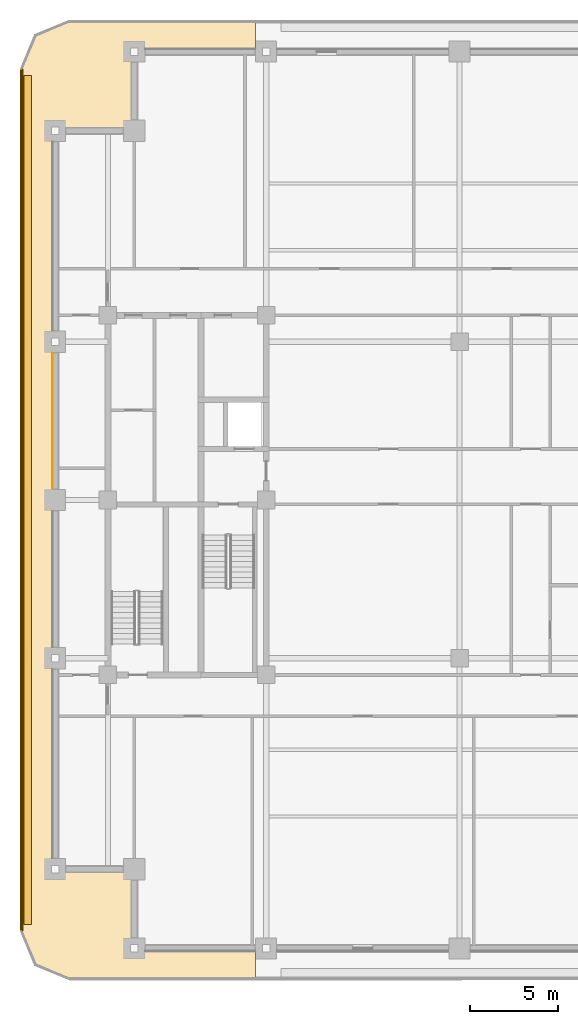
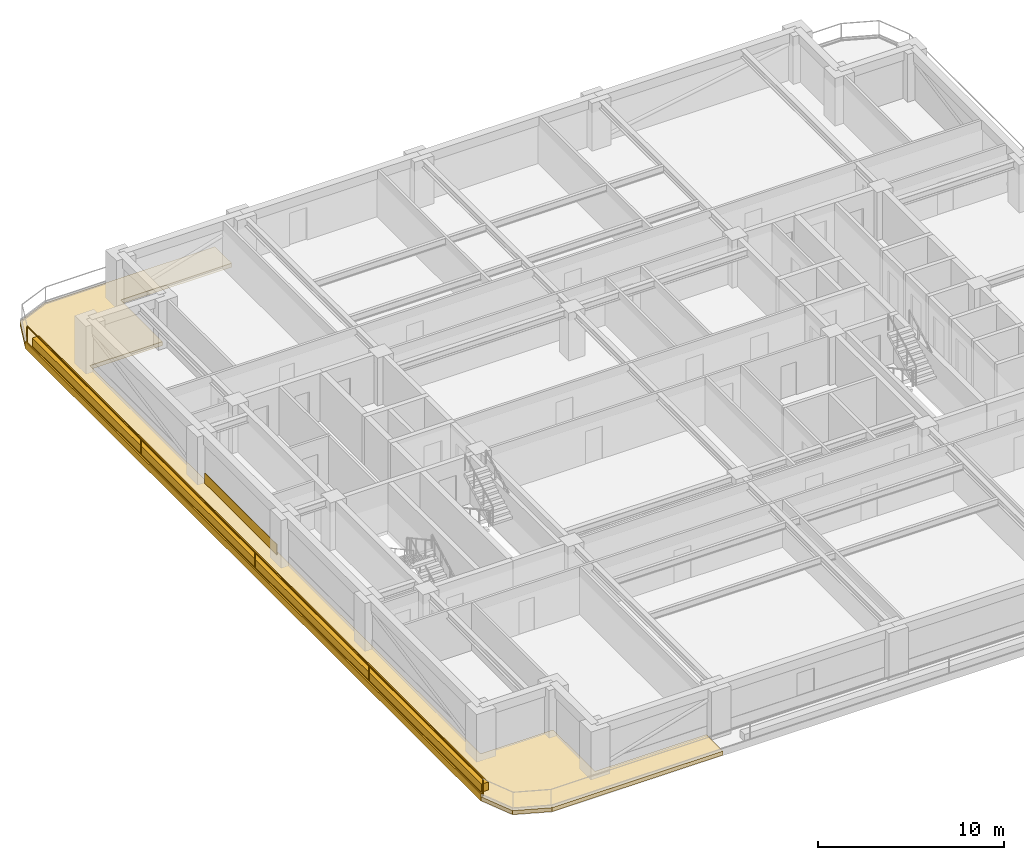
# One storey, part 9 of 13: 4 coverings, 1 railing.
"""IFC4 building model written with IfcOpenShell, lengths in metres."""

from ifc_helpers import new_model, si_unit, direction, frame, frame_2d, origin, origin_2d, place, context, subcontext, project, spatial, polyline, rectangle, outline, extrude, material, layer, layer_set, type_object, element, save


model = new_model("IFC4")

# Units and contexts
model_context = context("Model", 3, precision=1e-05, world=origin(), true_north=direction((0.0, 1.0)))
body_context = subcontext(model_context, "Body", "Model", "MODEL_VIEW")
ifc_project = project(units=[si_unit("LENGTHUNIT", "METRE"), si_unit("AREAUNIT", "SQUARE_METRE"), si_unit("VOLUMEUNIT", "CUBIC_METRE"), si_unit("PLANEANGLEUNIT", "RADIAN"), si_unit("MASSUNIT", "GRAM", prefix="KILO")], contexts=[model_context])

# Site, building, storey
site_placement = place(None, origin())
site = spatial("IfcSite", under=ifc_project, at=site_placement, CompositionType="ELEMENT")
building_placement = place(site_placement, origin())
building = spatial("IfcBuilding", under=site, at=building_placement, Name="Zulmaris Gate Convention Tower", CompositionType="ELEMENT")
storey_placement = place(building_placement, frame((0.0, 0.0, 112.780029296875)))
storey = spatial("IfcBuildingStorey", under=building, at=storey_placement, Name="L28", CompositionType="ELEMENT", Elevation=112.780029296875)

# Coverings
ifc_material_1 = material(Name="Precast concrete C40/50", Category="concrete")
ifc_layer_1 = layer(ifc_material_1, 0.0400390625, Name="Precast concrete C40/50")
ifc_layer_set_1 = layer_set([ifc_layer_1], Name="Precast concrete C40/50")
covering_type_1 = type_object("IfcCoveringType", Name="CLAD-SPANDREL-PRECAST", PredefinedType="CLADDING", material=ifc_layer_set_1)
covering_1_placement = place(storey_placement, frame((-23.14990234375, 8.3701171875, 0.0), z_axis=(0.0, 0.0, 1.0), x_axis=(0.0, -1.0, 0.0)))
element("IfcCovering", 1, at=covering_1_placement, inside=storey, type_object=covering_type_1, Name="CLD-L28-W-2_0", PredefinedType="CLADDING", context=body_context, shape_type="SweptSolid", body=[
    extrude(rectangle(XDim=7.740234375, YDim=0.0400390625, at=frame_2d((3.8701171875, 0.0))), origin(), (0.0, 0.0, 1.0), 0.679931640625),
])
ifc_material_2 = material(Name="White Glazed Architectural Precast Concrete C40/50", Category="concrete")
ifc_layer_2 = layer(ifc_material_2, 0.239990234375, Name="White Glazed Architectural Precast Concrete C40/50")
ifc_layer_set_2 = layer_set([ifc_layer_2], Name="White Glazed Architectural Precast Concrete C40/50")
covering_type_2 = type_object("IfcCoveringType", Name="CLAD-TRAY-DECK", PredefinedType="CLADDING", material=ifc_layer_set_2)
covering_2_placement = place(storey_placement, frame((0.0, 0.0, -0.25)))
element("IfcCovering", 2, at=covering_2_placement, inside=storey, type_object=covering_type_2, Name="L28 West Rounded-Fascia Planter Tray Deck", PredefinedType="CLADDING", context=body_context, shape_type="SweptSolid", body=[
    extrude(outline(polyline([(-25.0, 24.5), (-24.179931640625, 26.47998046875), (-22.199951171875, 27.300048828125), (-11.60205078125, 27.300048828125), (-11.60205078125, 25.5), (-18.5, 25.5), (-18.5, 21.0), (-23.0, 21.0), (-23.0, -21.0), (-18.5, -21.0), (-18.5, -25.5), (-11.60205078125, -25.5), (-11.60205078125, -27.300048828125), (-22.199951171875, -27.300048828125), (-24.179931640625, -26.47998046875), (-25.0, -24.5), (-25.0, 24.5)])), origin(), (0.0, 0.0, 1.0), 0.260009765625),
])
ifc_layer_3 = layer(ifc_material_2, 0.080078125, Name="White Glazed Architectural Precast Concrete C40/50")
ifc_layer_set_3 = layer_set([ifc_layer_3], Name="White Glazed Architectural Precast Concrete C40/50")
covering_type_3 = type_object("IfcCoveringType", Name="CLAD-TRAY-FASCIA", PredefinedType="CLADDING", material=ifc_layer_set_3)
covering_3_placement = place(storey_placement, frame((-24.9599609375, 24.5, -0.2900390625), z_axis=(0.0, 0.0, 1.0), x_axis=(0.0, -1.0, 0.0)))
element("IfcCovering", 3, at=covering_3_placement, inside=storey, type_object=covering_type_3, Name="FSC-L28-TR-11", PredefinedType="CLADDING", context=body_context, shape_type="SweptSolid", body=[
    extrude(rectangle(XDim=49.0, YDim=0.080078125, at=frame_2d((24.5, 0.0))), origin(), (0.0, 0.0, 1.0), 0.4599609375),
])
ifc_material_3 = material(Name="Botanical Green Glazed Precast Concrete C40/50", Category="concrete")
ifc_layer_4 = layer(ifc_material_3, 0.419921875, Name="Botanical Green Glazed Precast Concrete C40/50")
ifc_layer_set_4 = layer_set([ifc_layer_4], Name="Botanical Green Glazed Precast Concrete C40/50")
covering_type_4 = type_object("IfcCoveringType", Name="PLANTER-BOX-200", PredefinedType="CLADDING", material=ifc_layer_set_4)
covering_4_placement = place(storey_placement, frame((0.0, 0.0, 0.010009765625)))
element("IfcCovering", 4, at=covering_4_placement, inside=storey, type_object=covering_type_4, Name="L28 W Full-Length Balcony Tree Planter Trough", PredefinedType="CLADDING", context=body_context, shape_type="SweptSolid", body=[
    extrude(outline(polyline([(-24.760009765625, -24.14990234375), (-24.340087890625, -24.14990234375), (-24.340087890625, 24.14990234375), (-24.760009765625, 24.14990234375), (-24.760009765625, -24.14990234375)])), origin(), (0.0, 0.0, 1.0), 0.52001953125),
])

# Railing
ifc_material_4 = material(Name="Laminated Glass and Stainless Steel", Category="steel")
railing_type = type_object("IfcRailingType", Name="RL-BALC-1150", PredefinedType="BALUSTRADE", material=ifc_material_4)
railing_placement = place(storey_placement, frame((-24.8798828125, 24.5, 0.010009765625)))
element("IfcRailing", 5, at=railing_placement, inside=storey, type_object=railing_type, Name="RL-L28-BALC-W", PredefinedType="BALUSTRADE", context=body_context, shape_type="SweptSolid", body=[
    extrude(rectangle(XDim=0.048095703125, YDim=0.048095703125, at=origin_2d()), frame((0.0, 0.0, 1.1259765625), z_axis=(0.0, -1.0, 0.0), x_axis=(1.0, 0.0, 0.0)), (0.0, 0.0, 1.0), 49.0),
    extrude(rectangle(XDim=0.048095703125, YDim=0.048095703125, at=origin_2d()), frame((0.0, 0.0, 0.02392578125), z_axis=(0.0, -1.0, 0.0), x_axis=(1.0, 0.0, 0.0)), (0.0, 0.0, 1.0), 49.0),
    extrude(rectangle(XDim=0.0419921875, YDim=0.0419921875, at=origin_2d()), origin(), (0.0, 0.0, 1.0), 1.101806640625),
    extrude(rectangle(XDim=0.0419921875, YDim=0.0419921875, at=origin_2d()), frame((0.0, -12.25, 0.0)), (0.0, 0.0, 1.0), 1.101806640625),
    extrude(rectangle(XDim=0.0419921875, YDim=0.0419921875, at=origin_2d()), frame((0.0, -24.5, 0.0)), (0.0, 0.0, 1.0), 1.101806640625),
    extrude(rectangle(XDim=0.0419921875, YDim=0.0419921875, at=origin_2d()), frame((0.0, -36.75, 0.0)), (0.0, 0.0, 1.0), 1.101806640625),
    extrude(rectangle(XDim=0.0419921875, YDim=0.0419921875, at=origin_2d()), frame((0.0, -49.0, 0.0)), (0.0, 0.0, 1.0), 1.101806640625),
])

save(model, "model.ifc")
